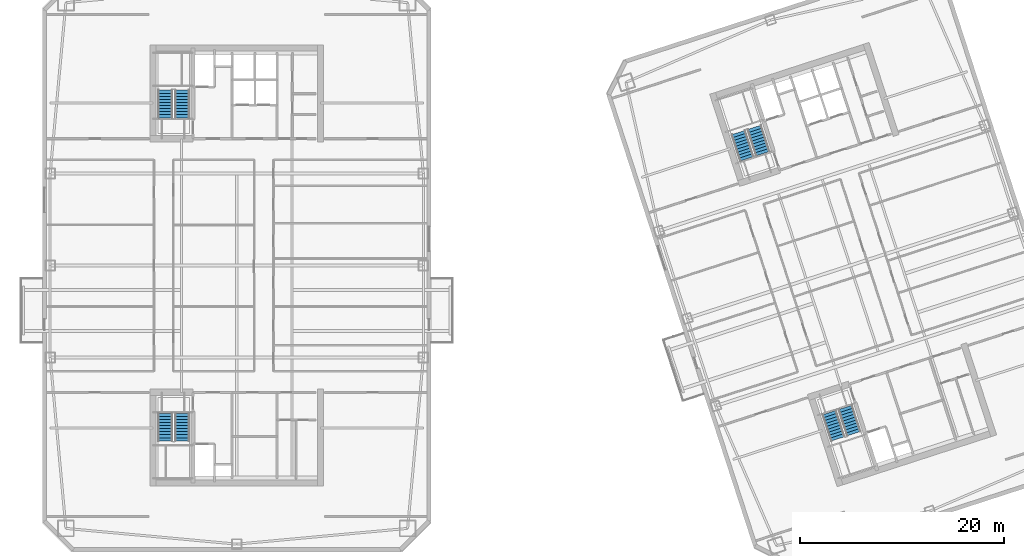
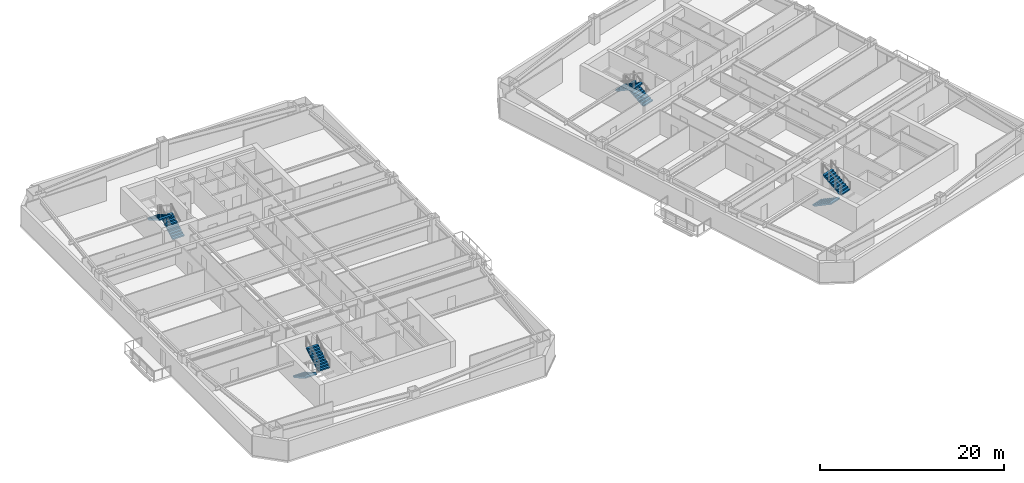
# One storey, part 10 of 14: 8 stair flights, 4 elements without a shape of their own.
"""IFC4 building model written with IfcOpenShell, lengths in metres."""

from ifc_helpers import new_model, si_unit, direction, frame, origin, place, context, subcontext, project, spatial, polyline, outline, extrude, material, type_object, element, aggregate, save


model = new_model("IFC4")

# Units and contexts
model_context = context("Model", 3, precision=1e-05, world=origin(), true_north=direction((0.0, 1.0)))
body_context = subcontext(model_context, "Body", "Model", "MODEL_VIEW")
ifc_project = project(units=[si_unit("LENGTHUNIT", "METRE"), si_unit("AREAUNIT", "SQUARE_METRE"), si_unit("VOLUMEUNIT", "CUBIC_METRE"), si_unit("PLANEANGLEUNIT", "RADIAN"), si_unit("MASSUNIT", "GRAM", prefix="KILO")], contexts=[model_context])

# Site, building, storey
site_placement = place(None, origin())
site = spatial("IfcSite", under=ifc_project, at=site_placement, CompositionType="ELEMENT")
building_placement = place(site_placement, origin())
building = spatial("IfcBuilding", under=site, at=building_placement, Name="Qiaolan Cultural Towers", CompositionType="ELEMENT")
storey_placement = place(building_placement, frame((0.0, 0.0, 124.199951171875)))
storey = spatial("IfcBuildingStorey", under=building, at=storey_placement, Name="L32", CompositionType="ELEMENT", Elevation=124.199951171875)

# Stair, stair flights
ifc_material_1 = material(Name="Concrete C45", Category="concrete")
stair_type = type_object("IfcStairType", Name="STR-CORE-1500", PredefinedType="HALF_TURN_STAIR", material=ifc_material_1)
stair_1_placement = place(storey_placement, origin())
stair_1 = element("IfcStair", 1, at=stair_1_placement, inside=storey, type_object=stair_type, Name="L32 Smokeproof Exit Stair ST-W1", PredefinedType="HALF_TURN_STAIR")
ifc_material_2 = material(Name="Concrete C45", Category="concrete")
stair_flight_type = type_object("IfcStairFlightType", Name="STR-CORE-1500-FL", PredefinedType="STRAIGHT", material=ifc_material_2)
stair_flight_1_placement = place(storey_placement, frame((23.02001953125, 19.550048828125, 0.0), z_axis=(0.0, 0.0, 1.0), x_axis=(0.0, -1.0, 0.0)))
stair_flight_1 = element("IfcStairFlight", 2, at=stair_flight_1_placement, type_object=stair_flight_type, Name="ST-W1 flight 1", NumberOfRisers=10, NumberOfTreads=9, PredefinedType="STRAIGHT", RiserHeight=0.1725, TreadLength=0.3, context=body_context, shape_type="SweptSolid", body=[
    extrude(outline(polyline([(0.0, 0.0), (0.0, 0.172607421875), (0.300048828125, 0.172607421875), (0.300048828125, 0.344970703125), (0.60009765625, 0.344970703125), (0.60009765625, 0.517578125), (0.89990234375, 0.517578125), (0.89990234375, 0.68994140625), (1.199951171875, 0.68994140625), (1.199951171875, 0.862548828125), (1.5, 0.862548828125), (1.5, 1.034912109375), (1.800048828125, 1.034912109375), (1.800048828125, 1.20751953125), (2.10009765625, 1.20751953125), (2.10009765625, 1.3798828125), (2.39990234375, 1.3798828125), (2.39990234375, 1.552490234375), (2.699951171875, 1.552490234375), (2.699951171875, 1.72509765625), (2.699951171875, 1.379638671875), (0.30078125, 0.0), (0.0, 0.0)])), frame((0.0, 0.719970703125, 0.0), z_axis=(0.0, -1.0, 0.0), x_axis=(1.0, 0.0, 0.0)), (0.0, 0.0, 1.0), 1.43994140625),
])
stair_flight_2_placement = place(storey_placement, frame((24.659912109375, 16.85009765625, 1.72509765625), z_axis=(0.0, 0.0, 1.0), x_axis=(0.0, 1.0, 0.0)))
stair_flight_2 = element("IfcStairFlight", 3, at=stair_flight_2_placement, type_object=stair_flight_type, Name="ST-W1 flight 2", NumberOfRisers=10, NumberOfTreads=9, PredefinedType="STRAIGHT", RiserHeight=0.1725, TreadLength=0.3, context=body_context, shape_type="SweptSolid", body=[
    extrude(outline(polyline([(0.0, 0.0), (0.0, 0.172607421875), (0.300048828125, 0.172607421875), (0.300048828125, 0.344970703125), (0.60009765625, 0.344970703125), (0.60009765625, 0.517578125), (0.89990234375, 0.517578125), (0.89990234375, 0.68994140625), (1.199951171875, 0.68994140625), (1.199951171875, 0.862548828125), (1.5, 0.862548828125), (1.5, 1.034912109375), (1.800048828125, 1.034912109375), (1.800048828125, 1.20751953125), (2.10009765625, 1.20751953125), (2.10009765625, 1.3798828125), (2.39990234375, 1.3798828125), (2.39990234375, 1.552490234375), (2.699951171875, 1.552490234375), (2.699951171875, 1.72509765625), (2.699951171875, 1.379638671875), (0.30078125, 0.0), (0.0, 0.0)])), frame((0.0, 0.719970703125, 0.0), z_axis=(0.0, -1.0, 0.0), x_axis=(1.0, 0.0, 0.0)), (0.0, 0.0, 1.0), 1.43994140625),
])
aggregate(stair_1, [stair_flight_1, stair_flight_2])

stair_2_placement = place(storey_placement, origin())
stair_2 = element("IfcStair", 4, at=stair_2_placement, inside=storey, type_object=stair_type, Name="L32 Smokeproof Exit Stair ST-W2", PredefinedType="HALF_TURN_STAIR")
stair_flight_3_placement = place(storey_placement, frame((24.659912109375, 48.449951171875, 0.0), z_axis=(0.0, 0.0, 1.0), x_axis=(0.0, 1.0, 0.0)))
stair_flight_3 = element("IfcStairFlight", 5, at=stair_flight_3_placement, type_object=stair_flight_type, Name="ST-W2 flight 1", NumberOfRisers=10, NumberOfTreads=9, PredefinedType="STRAIGHT", RiserHeight=0.1725, TreadLength=0.3, context=body_context, shape_type="SweptSolid", body=[
    extrude(outline(polyline([(0.0, 0.0), (0.0, 0.172607421875), (0.300048828125, 0.172607421875), (0.300048828125, 0.344970703125), (0.60009765625, 0.344970703125), (0.60009765625, 0.517578125), (0.89990234375, 0.517578125), (0.89990234375, 0.68994140625), (1.199951171875, 0.68994140625), (1.199951171875, 0.862548828125), (1.5, 0.862548828125), (1.5, 1.034912109375), (1.800048828125, 1.034912109375), (1.800048828125, 1.20751953125), (2.10009765625, 1.20751953125), (2.10009765625, 1.3798828125), (2.39990234375, 1.3798828125), (2.39990234375, 1.552490234375), (2.699951171875, 1.552490234375), (2.699951171875, 1.72509765625), (2.699951171875, 1.379638671875), (0.30078125, 0.0), (0.0, 0.0)])), frame((0.0, 0.719970703125, 0.0), z_axis=(0.0, -1.0, 0.0), x_axis=(1.0, 0.0, 0.0)), (0.0, 0.0, 1.0), 1.43994140625),
])
stair_flight_4_placement = place(storey_placement, frame((23.02001953125, 51.14990234375, 1.72509765625), z_axis=(0.0, 0.0, 1.0), x_axis=(0.0, -1.0, 0.0)))
stair_flight_4 = element("IfcStairFlight", 6, at=stair_flight_4_placement, type_object=stair_flight_type, Name="ST-W2 flight 2", NumberOfRisers=10, NumberOfTreads=9, PredefinedType="STRAIGHT", RiserHeight=0.1725, TreadLength=0.3, context=body_context, shape_type="SweptSolid", body=[
    extrude(outline(polyline([(0.0, 0.0), (0.0, 0.172607421875), (0.300048828125, 0.172607421875), (0.300048828125, 0.344970703125), (0.60009765625, 0.344970703125), (0.60009765625, 0.517578125), (0.89990234375, 0.517578125), (0.89990234375, 0.68994140625), (1.199951171875, 0.68994140625), (1.199951171875, 0.862548828125), (1.5, 0.862548828125), (1.5, 1.034912109375), (1.800048828125, 1.034912109375), (1.800048828125, 1.20751953125), (2.10009765625, 1.20751953125), (2.10009765625, 1.3798828125), (2.39990234375, 1.3798828125), (2.39990234375, 1.552490234375), (2.699951171875, 1.552490234375), (2.699951171875, 1.72509765625), (2.699951171875, 1.379638671875), (0.30078125, 0.0), (0.0, 0.0)])), frame((0.0, 0.719970703125, 0.0), z_axis=(0.0, -1.0, 0.0), x_axis=(1.0, 0.0, 0.0)), (0.0, 0.0, 1.0), 1.43994140625),
])
aggregate(stair_2, [stair_flight_3, stair_flight_4])

stair_3_placement = place(storey_placement, origin())
stair_3 = element("IfcStair", 7, at=stair_3_placement, inside=storey, type_object=stair_type, Name="L32 Smokeproof Exit Stair ST-E1", PredefinedType="HALF_TURN_STAIR")
stair_flight_5_placement = place(storey_placement, frame((87.96484375, 19.6171875, 0.0), z_axis=(0.0, 0.0, 1.0), x_axis=(0.309016994375, -0.951056516295, 0.0)))
stair_flight_5 = element("IfcStairFlight", 8, at=stair_flight_5_placement, type_object=stair_flight_type, Name="ST-E1 flight 1", NumberOfRisers=10, NumberOfTreads=9, PredefinedType="STRAIGHT", RiserHeight=0.1725, TreadLength=0.3, context=body_context, shape_type="SweptSolid", body=[
    extrude(outline(polyline([(0.0, 0.0), (0.0, 0.172607421875), (0.300048828125, 0.172607421875), (0.300048828125, 0.344970703125), (0.60009765625, 0.344970703125), (0.60009765625, 0.517578125), (0.89990234375, 0.517578125), (0.89990234375, 0.68994140625), (1.199951171875, 0.68994140625), (1.199951171875, 0.862548828125), (1.5, 0.862548828125), (1.5, 1.034912109375), (1.800048828125, 1.034912109375), (1.800048828125, 1.20751953125), (2.10009765625, 1.20751953125), (2.10009765625, 1.3798828125), (2.39990234375, 1.3798828125), (2.39990234375, 1.552490234375), (2.699951171875, 1.552490234375), (2.699951171875, 1.72509765625), (2.699951171875, 1.379638671875), (0.30078125, 0.0), (0.0, 0.0)])), frame((0.0, 0.719970703125, 0.0), z_axis=(0.0, -1.0, 0.0), x_axis=(1.0, 0.0, 0.0)), (0.0, 0.0, 1.0), 1.43994140625),
])
stair_flight_6_placement = place(storey_placement, frame((90.359130859375, 17.55615234375, 1.72509765625), z_axis=(0.0, 0.0, 1.0), x_axis=(-0.309016994375, 0.951056516295, 0.0)))
stair_flight_6 = element("IfcStairFlight", 9, at=stair_flight_6_placement, type_object=stair_flight_type, Name="ST-E1 flight 2", NumberOfRisers=10, NumberOfTreads=9, PredefinedType="STRAIGHT", RiserHeight=0.1725, TreadLength=0.3, context=body_context, shape_type="SweptSolid", body=[
    extrude(outline(polyline([(0.0, 0.0), (0.0, 0.172607421875), (0.300048828125, 0.172607421875), (0.300048828125, 0.344970703125), (0.60009765625, 0.344970703125), (0.60009765625, 0.517578125), (0.89990234375, 0.517578125), (0.89990234375, 0.68994140625), (1.199951171875, 0.68994140625), (1.199951171875, 0.862548828125), (1.5, 0.862548828125), (1.5, 1.034912109375), (1.800048828125, 1.034912109375), (1.800048828125, 1.20751953125), (2.10009765625, 1.20751953125), (2.10009765625, 1.3798828125), (2.39990234375, 1.3798828125), (2.39990234375, 1.552490234375), (2.699951171875, 1.552490234375), (2.699951171875, 1.72509765625), (2.699951171875, 1.379638671875), (0.30078125, 0.0), (0.0, 0.0)])), frame((0.0, 0.719970703125, 0.0), z_axis=(0.0, -1.0, 0.0), x_axis=(1.0, 0.0, 0.0)), (0.0, 0.0, 1.0), 1.43994140625),
])
aggregate(stair_3, [stair_flight_5, stair_flight_6])

stair_4_placement = place(storey_placement, origin())
stair_4 = element("IfcStair", 10, at=stair_4_placement, inside=storey, type_object=stair_type, Name="L32 Smokeproof Exit Stair ST-E2", PredefinedType="HALF_TURN_STAIR")
stair_flight_7_placement = place(storey_placement, frame((81.459228515625, 44.946533203125, 0.0), z_axis=(0.0, 0.0, 1.0), x_axis=(-0.309016994375, 0.951056516295, 0.0)))
stair_flight_7 = element("IfcStairFlight", 11, at=stair_flight_7_placement, type_object=stair_flight_type, Name="ST-E2 flight 1", NumberOfRisers=10, NumberOfTreads=9, PredefinedType="STRAIGHT", RiserHeight=0.1725, TreadLength=0.3, context=body_context, shape_type="SweptSolid", body=[
    extrude(outline(polyline([(0.0, 0.0), (0.0, 0.172607421875), (0.300048828125, 0.172607421875), (0.300048828125, 0.344970703125), (0.60009765625, 0.344970703125), (0.60009765625, 0.517578125), (0.89990234375, 0.517578125), (0.89990234375, 0.68994140625), (1.199951171875, 0.68994140625), (1.199951171875, 0.862548828125), (1.5, 0.862548828125), (1.5, 1.034912109375), (1.800048828125, 1.034912109375), (1.800048828125, 1.20751953125), (2.10009765625, 1.20751953125), (2.10009765625, 1.3798828125), (2.39990234375, 1.3798828125), (2.39990234375, 1.552490234375), (2.699951171875, 1.552490234375), (2.699951171875, 1.72509765625), (2.699951171875, 1.379638671875), (0.30078125, 0.0), (0.0, 0.0)])), frame((0.0, 0.719970703125, 0.0), z_axis=(0.0, -1.0, 0.0), x_axis=(1.0, 0.0, 0.0)), (0.0, 0.0, 1.0), 1.43994140625),
])
stair_flight_8_placement = place(storey_placement, frame((79.065185546875, 47.007568359375, 1.72509765625), z_axis=(0.0, 0.0, 1.0), x_axis=(0.309016994375, -0.951056516295, 0.0)))
stair_flight_8 = element("IfcStairFlight", 12, at=stair_flight_8_placement, type_object=stair_flight_type, Name="ST-E2 flight 2", NumberOfRisers=10, NumberOfTreads=9, PredefinedType="STRAIGHT", RiserHeight=0.1725, TreadLength=0.3, context=body_context, shape_type="SweptSolid", body=[
    extrude(outline(polyline([(0.0, 0.0), (0.0, 0.172607421875), (0.300048828125, 0.172607421875), (0.300048828125, 0.344970703125), (0.60009765625, 0.344970703125), (0.60009765625, 0.517578125), (0.89990234375, 0.517578125), (0.89990234375, 0.68994140625), (1.199951171875, 0.68994140625), (1.199951171875, 0.862548828125), (1.5, 0.862548828125), (1.5, 1.034912109375), (1.800048828125, 1.034912109375), (1.800048828125, 1.20751953125), (2.10009765625, 1.20751953125), (2.10009765625, 1.3798828125), (2.39990234375, 1.3798828125), (2.39990234375, 1.552490234375), (2.699951171875, 1.552490234375), (2.699951171875, 1.72509765625), (2.699951171875, 1.379638671875), (0.30078125, 0.0), (0.0, 0.0)])), frame((0.0, 0.719970703125, 0.0), z_axis=(0.0, -1.0, 0.0), x_axis=(1.0, 0.0, 0.0)), (0.0, 0.0, 1.0), 1.43994140625),
])
aggregate(stair_4, [stair_flight_7, stair_flight_8])

save(model, "model.ifc")
